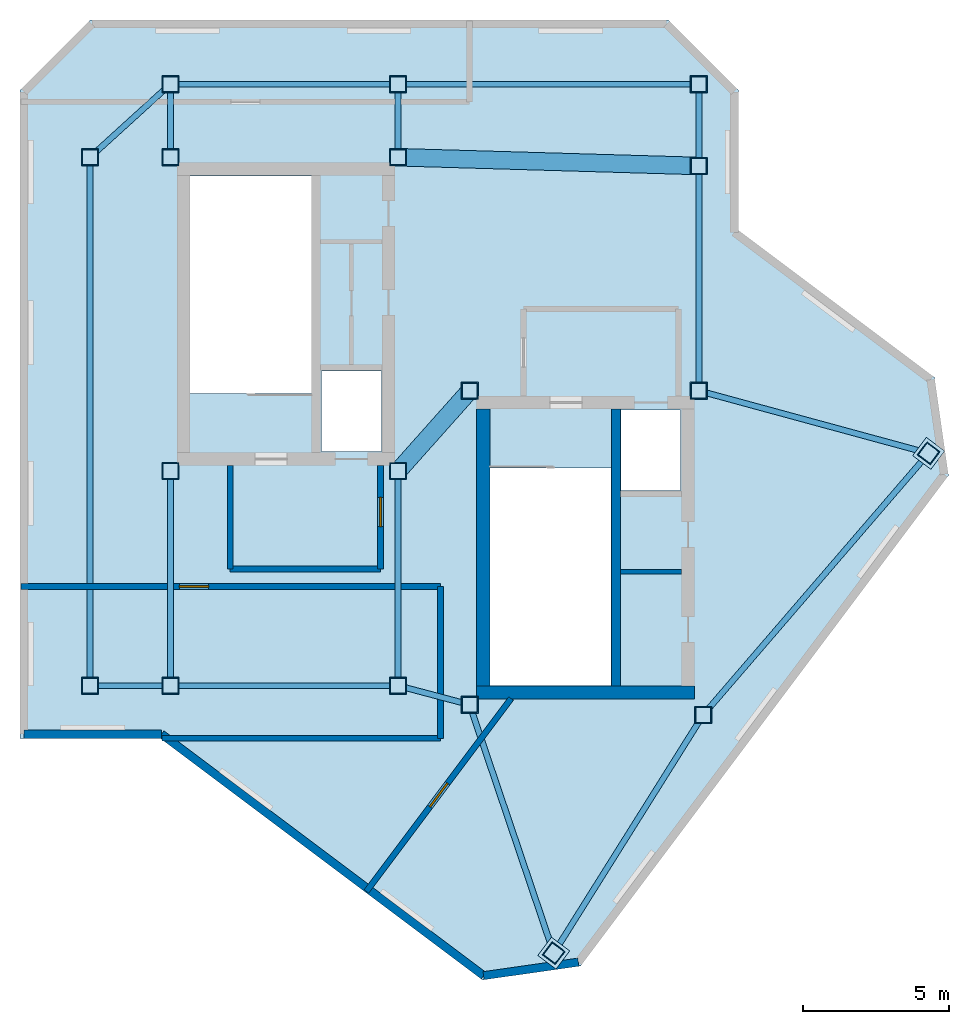
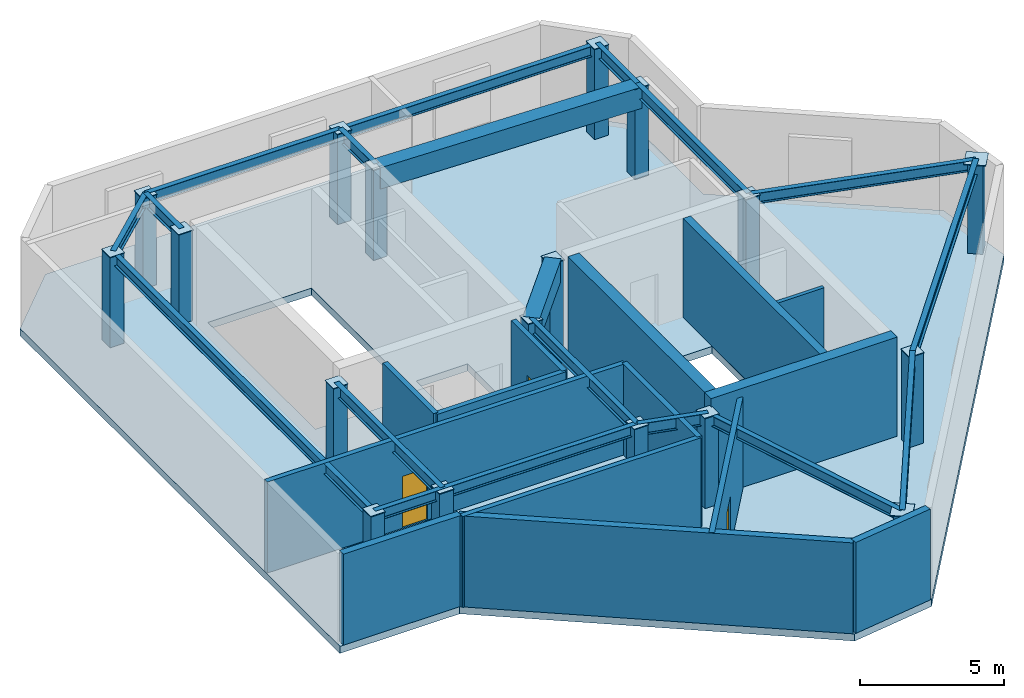
# One storey, part 1 of 3: 19 beams, 18 columns, 18 plates, 14 walls, 3 doors, 1 slab, 3 openings.
"""IFC4 building model written with IfcOpenShell, lengths in metres."""

import ifcopenshell
import ifcopenshell.guid

model = None  # the IFC model being written
_history = None  # IfcOwnerHistory: only IFC2X3 demands one
_inside = {}  # id of a spatial element -> (the spatial element, [elements in it])
_under = {}  # id of a project, library or spatial element -> (it, [spatial elements below it])
_declared = {}  # id of a project -> (the project, [libraries it declares])
_typed = {}  # id of a type object -> (the type object, [elements of that type])
_made_of = {}  # id of a material, layer set ... -> (it, [elements and type objects made of it])


def new_model(schema):
    """Start an empty IFC model of exactly this schema.

    Asked for "IFC4X3", IfcOpenShell would pick the latest addendum, in which some entities
    have other attributes; the version numbers below select the first issue.
    IFC2X3 requires an IfcOwnerHistory on every rooted entity: one is made here for all.
    """
    global model, _history
    if schema == "IFC4X3":
        model = ifcopenshell.file(schema_version=(4, 3, 0, 0))
    else:
        model = ifcopenshell.file(schema=schema)
    _inside.clear()
    _under.clear()
    _declared.clear()
    _typed.clear()
    _made_of.clear()
    _history = None
    if model.schema == "IFC2X3":
        org = make("IfcOrganization", Name="unknown")
        user = make(
            "IfcPersonAndOrganization",
            ThePerson=make("IfcPerson", FamilyName="unknown"),
            TheOrganization=org,
        )
        app = make(
            "IfcApplication",
            ApplicationDeveloper=org,
            Version="unknown",
            ApplicationFullName="unknown",
            ApplicationIdentifier="unknown",
        )
        _history = make(
            "IfcOwnerHistory",
            OwningUser=user,
            OwningApplication=app,
            ChangeAction="ADDED",
            CreationDate=0,
        )
    return model


def make(cls, **values):
    """One entity of the class cls with the attributes given. An attribute that is None is left unset."""
    return model.create_entity(
        cls, **{name: value for name, value in values.items() if value is not None}
    )


def rooted(cls, **values):
    """An entity with a GlobalId (a new one), such as an element, a storey or a relation."""
    return make(cls, GlobalId=ifcopenshell.guid.new(), OwnerHistory=_history, **values)


def si_unit(unit_type, name, prefix=None):
    """IfcSIUnit, for example si_unit("LENGTHUNIT", "METRE", prefix="MILLI")."""
    return make("IfcSIUnit", UnitType=unit_type, Prefix=prefix, Name=name)


def assignment(units):
    """IfcUnitAssignment: the units of a project."""
    return None if units is None else make("IfcUnitAssignment", Units=units)


def point(xyz):
    """IfcCartesianPoint."""
    return None if xyz is None else make("IfcCartesianPoint", Coordinates=xyz)


def direction(xyz):
    """IfcDirection."""
    return None if xyz is None else make("IfcDirection", DirectionRatios=xyz)


def frame(location, z_axis=None, x_axis=None):
    """IfcAxis2Placement3D, a coordinate frame: its origin and axes. An axis left out is left unset."""
    return make(
        "IfcAxis2Placement3D",
        Location=point(location),
        Axis=direction(z_axis),
        RefDirection=direction(x_axis),
    )


def frame_2d(location, x_axis=None):
    """IfcAxis2Placement2D, a coordinate frame in the plane: its origin and x axis."""
    return make(
        "IfcAxis2Placement2D", Location=point(location), RefDirection=direction(x_axis)
    )


def origin():
    """The frame at (0, 0, 0) with its axes left unset."""
    return frame((0.0, 0.0, 0.0))


def origin_2d():
    """The frame at (0, 0) in the plane with its x axis left unset."""
    return frame_2d((0.0, 0.0))


def place(relative_to, where):
    """IfcLocalPlacement: puts the frame where relative to a parent placement (None: the world)."""
    return make(
        "IfcLocalPlacement", PlacementRelTo=relative_to, RelativePlacement=where
    )


def context(
    kind, dimensions, precision=None, world=None, true_north=None, identifier=None
):
    """IfcGeometricRepresentationContext, for example the 3D "Model" context."""
    return make(
        "IfcGeometricRepresentationContext",
        ContextIdentifier=identifier,
        ContextType=kind,
        CoordinateSpaceDimension=dimensions,
        Precision=precision,
        WorldCoordinateSystem=world,
        TrueNorth=true_north,
    )


def subcontext(parent, identifier, kind, view, scale=None):
    """IfcGeometricRepresentationSubContext, for example "Body" below "Model"."""
    return make(
        "IfcGeometricRepresentationSubContext",
        ContextIdentifier=identifier,
        ContextType=kind,
        ParentContext=parent,
        TargetScale=scale,
        TargetView=view,
    )


def project(units=None, contexts=None):
    """IfcProject with its units and contexts."""
    return rooted(
        "IfcProject",
        Name="project",
        RepresentationContexts=contexts,
        UnitsInContext=assignment(units),
    )


def spatial(cls, under=None, at=None, **own):
    """A site, building, storey or space (cls), placed at a placement, below another one or the project."""
    s = rooted(cls, ObjectPlacement=at, **own)
    if under is not None:
        _under.setdefault(under.id(), (under, []))[1].append(s)
    return s


def polyline(points):
    """IfcPolyline through the points."""
    return make("IfcPolyline", Points=[point(p) for p in points])


def profile(cls, at=None, kind="AREA", **sizes):
    """A parametric profile (cls). Its sizes go by their IFC names, for example OverallWidth=200.0."""
    return make(cls, ProfileType=kind, Position=at, **sizes)


def rectangle(**sizes):
    """IfcRectangleProfileDef."""
    return profile("IfcRectangleProfileDef", **sizes)


def hollow_rectangle(**sizes):
    """IfcRectangleHollowProfileDef."""
    return profile("IfcRectangleHollowProfileDef", **sizes)


def i_section(**sizes):
    """IfcIShapeProfileDef."""
    return profile("IfcIShapeProfileDef", **sizes)


def outline(outer, holes=None, kind="AREA"):
    """IfcArbitraryClosedProfileDef: a profile drawn as a closed curve; with holes, ...WithVoids."""
    if holes is None:
        return make("IfcArbitraryClosedProfileDef", ProfileType=kind, OuterCurve=outer)
    return make(
        "IfcArbitraryProfileDefWithVoids",
        ProfileType=kind,
        OuterCurve=outer,
        InnerCurves=holes,
    )


def extrude(swept, where, along, depth):
    """IfcExtrudedAreaSolid: the profile swept, set in the frame where, extruded along a direction by depth."""
    return make(
        "IfcExtrudedAreaSolid",
        SweptArea=swept,
        Position=where,
        ExtrudedDirection=direction(along),
        Depth=depth,
    )


def shape(context_of_items, identifier, shape_type, items):
    """IfcShapeRepresentation: the items that make up one representation, for example the "Body"."""
    return make(
        "IfcShapeRepresentation",
        ContextOfItems=context_of_items,
        RepresentationIdentifier=identifier,
        RepresentationType=shape_type,
        Items=items,
    )


def material(Name=None, Category=None):
    """IfcMaterial."""
    return make("IfcMaterial", Name=Name, Category=Category)


def layer(
    of_material, thickness, ventilated=None, Name=None, Category=None, Priority=None
):
    """IfcMaterialLayer: one layer of a wall or slab, of a material (None: an air gap)."""
    return make(
        "IfcMaterialLayer",
        Material=of_material,
        LayerThickness=thickness,
        IsVentilated=ventilated,
        Name=Name,
        Category=Category,
        Priority=Priority,
    )


def layer_set(layers, Name=None):
    """IfcMaterialLayerSet."""
    return make("IfcMaterialLayerSet", MaterialLayers=layers, LayerSetName=Name)


def material_profile(
    of_material, cross_section, Name=None, Category=None, Priority=None
):
    """IfcMaterialProfile: a cross section and its material."""
    return make(
        "IfcMaterialProfile",
        Name=Name,
        Material=of_material,
        Profile=cross_section,
        Priority=Priority,
        Category=Category,
    )


def profile_set(profiles, Name=None, composite=None):
    """IfcMaterialProfileSet."""
    return make(
        "IfcMaterialProfileSet",
        Name=Name,
        MaterialProfiles=profiles,
        CompositeProfile=composite,
    )


def made_of(thing, what):
    """Note that an element or type object is made of a material, layer set ...; save() writes the relation."""
    if what is not None:
        _made_of.setdefault(what.id(), (what, []))[1].append(thing)
    return thing


def type_object(cls, material=None, **own):
    """A type object (cls), such as IfcWallType, which elements share."""
    return made_of(rooted(cls, **own), material)


def element(
    cls,
    number,
    at=None,
    inside=None,
    cuts=None,
    type_object=None,
    material=None,
    context=None,
    identifier="Body",
    shape_type=None,
    held_by="IfcProductDefinitionShape",
    body=None,
    shapes=None,
    **own,
):
    """One element of the class cls, such as IfcWall. Its Tag is "e" and its number.

    at: its placement. inside: the storey or other place that contains it. cuts: it is an
    opening in that element (IfcRelVoidsElement). A single representation is given by context,
    identifier, shape_type and body (its items); several are given by shapes. held_by: the class
    of the entity that holds the representations. save() writes the other relations.
    """
    e = rooted(cls, Tag="e%d" % number, ObjectPlacement=at, **own)
    if body is not None:
        shapes = [shape(context, identifier, shape_type, body)]
    if shapes is not None:
        e.Representation = make(held_by, Representations=shapes)
    if inside is not None:
        _inside.setdefault(inside.id(), (inside, []))[1].append(e)
    if cuts is not None:
        rooted(
            "IfcRelVoidsElement", RelatingBuildingElement=cuts, RelatedOpeningElement=e
        )
    if type_object is not None:
        _typed.setdefault(type_object.id(), (type_object, []))[1].append(e)
    return made_of(e, material)


def fill(opening, filler):
    """IfcRelFillsElement: the door or window that sits in an opening."""
    return rooted(
        "IfcRelFillsElement",
        RelatingOpeningElement=opening,
        RelatedBuildingElement=filler,
    )


def aggregate(whole, parts):
    """IfcRelAggregates: a whole, such as a stair, and the parts it consists of."""
    return rooted("IfcRelAggregates", RelatingObject=whole, RelatedObjects=parts)


def save(model, path):
    """Write the relations noted so far, then the file.

    IfcRelAggregates (storeys below a building ...), IfcRelContainedInSpatialStructure (elements
    in a storey), IfcRelDefinesByType, IfcRelAssociatesMaterial and IfcRelDeclares: one each for
    every whole, place, type object, material and project.
    """
    for whole, parts in _under.values():
        aggregate(whole, parts)
    for where, things in _inside.values():
        rooted(
            "IfcRelContainedInSpatialStructure",
            RelatedElements=things,
            RelatingStructure=where,
        )
    for kind, things in _typed.values():
        rooted("IfcRelDefinesByType", RelatedObjects=things, RelatingType=kind)
    for what, things in _made_of.values():
        rooted("IfcRelAssociatesMaterial", RelatedObjects=things, RelatingMaterial=what)
    for by, libraries in _declared.values():
        rooted("IfcRelDeclares", RelatingContext=by, RelatedDefinitions=libraries)
    model.write(path)


model = new_model("IFC4")

# Units and contexts
model_context = context("Model", 3, precision=1e-05, world=origin(), true_north=direction((0.0, 1.0)))
body_context = subcontext(model_context, "Body", "Model", "MODEL_VIEW")
ifc_project = project(units=[si_unit("LENGTHUNIT", "METRE"), si_unit("AREAUNIT", "SQUARE_METRE"), si_unit("VOLUMEUNIT", "CUBIC_METRE"), si_unit("PLANEANGLEUNIT", "RADIAN"), si_unit("MASSUNIT", "GRAM", prefix="KILO")], contexts=[model_context])

# Site, building, storey
site_placement = place(None, origin())
site = spatial("IfcSite", under=ifc_project, at=site_placement, CompositionType="ELEMENT")
building_placement = place(site_placement, origin())
building = spatial("IfcBuilding", under=site, at=building_placement, Name="Hatsunagi Terrace Concourse", CompositionType="ELEMENT")
storey_placement = place(building_placement, frame((0.0, 0.0, 289.949951171875)))
storey = spatial("IfcBuildingStorey", under=building, at=storey_placement, Name="L76", CompositionType="ELEMENT", Elevation=289.949951171875)

# Columns
ifc_material_1 = material(Name="Steel BCP325T", Category="steel")
ifc_material_profile_1 = material_profile(ifc_material_1, hollow_rectangle(XDim=0.550048828125, YDim=0.550048828125, WallThickness=0.02197265625, at=origin_2d()), Name="BCP-550x550x22")
ifc_profile_set_1 = profile_set([ifc_material_profile_1], Name="Steel BCP325T")
column_type = type_object("IfcColumnType", Name="CrownBoxColumn_550x550x22", PredefinedType="COLUMN", material=ifc_profile_set_1)
for number, where, z_axis, x_axis, name in (
    (1, (25.550048828125, 32.550048828125, 0.0), (0.0, 0.0, 1.0), (1.0, 0.0, 0.0), "Column C-11 L76-CASW"),
    (2, (33.35009765625, 32.550048828125, 0.0), (0.0, 0.0, 1.0), (1.0, 0.0, 0.0), "Column C-11 L76-CASE"),
    (3, (25.550048828125, 43.300048828125, 0.0), (0.0, 0.0, 1.0), (1.0, 0.0, 0.0), "Column C-11 L76-CANW"),
    (4, (33.35009765625, 43.300048828125, 0.0), (0.0, 0.0, 1.0), (1.0, 0.0, 0.0), "Column C-11 L76-CANE"),
    (5, (35.800048828125, 24.550048828125, 0.0), (0.0, 0.0, 1.0), (1.0, 0.0, 0.0), "Column C-11 L76-CBSW"),
    (6, (43.800048828125, 24.199951171875, 0.0), (0.0, 0.0, 1.0), (1.0, 0.0, 0.0), "Column C-11 L76-CBSE"),
    (7, (35.800048828125, 35.300048828125, 0.0), (0.0, 0.0, 1.0), (1.0, 0.0, 0.0), "Column C-11 L76-CBNW"),
    (8, (43.64990234375, 35.300048828125, 0.0), (0.0, 0.0, 1.0), (1.0, 0.0, 0.0), "Column C-11 L76-CBNE"),
    (9, (25.550048828125, 25.199951171875, 0.0), (0.0, 0.0, 1.0), (1.0, 0.0, 0.0), "Column C-11 L76-K1"),
    (10, (33.35009765625, 25.199951171875, 0.0), (0.0, 0.0, 1.0), (1.0, 0.0, 0.0), "Column C-11 L76-K2"),
    (11, (43.64990234375, 43.0, 0.0), (0.0, 0.0, 1.0), (1.0, 0.0, 0.0), "Column C-11 L76-K3"),
    (12, (25.550048828125, 45.800048828125, 0.0), (0.0, 0.0, 1.0), (1.0, 0.0, 0.0), "Column C-11 L76-CN1"),
    (13, (33.35009765625, 45.800048828125, 0.0), (0.0, 0.0, 1.0), (1.0, 0.0, 0.0), "Column C-11 L76-CN2"),
    (14, (43.64990234375, 45.800048828125, 0.0), (0.0, 0.0, 1.0), (1.0, 0.0, 0.0), "Column C-11 L76-CN3"),
    (15, (22.800048828125, 25.199951171875, 0.0), (0.0, 0.0, 1.0), (1.0, 0.0, 0.0), "Column C-11 L76-CW1"),
    (16, (22.800048828125, 43.300048828125, 0.0), (0.0, 0.0, 1.0), (1.0, 0.0, 0.0), "Column C-11 L76-CW2"),
    (17, (38.679931640625, 16.0400390625, 0.0), (0.0, 0.0, 1.0), (0.799999996291, -0.600000004945, 0.0), "Column C-11 L76-SES1"),
    (18, (51.52001953125, 33.159912109375, 0.0), (0.0, 0.0, 1.0), (0.799999996291, -0.600000004945, 0.0), "Column C-11 L76-SEN1"),
):
    element("IfcColumn", number, at=place(storey_placement, frame(where, z_axis=z_axis, x_axis=x_axis)), inside=storey, type_object=column_type, Name=name, PredefinedType="COLUMN", context=body_context, shape_type="SweptSolid", body=[
        extrude(hollow_rectangle(XDim=0.550048828125, YDim=0.550048828125, WallThickness=0.02197265625, at=origin_2d()), origin(), (0.0, 0.0, 1.0), 3.818115234375),
    ])

# Beams
ifc_material_2 = material(Name="Concrete Fc42", Category="concrete")
ifc_material_profile_2 = material_profile(ifc_material_2, rectangle(XDim=0.60009765625, YDim=0.89990234375, at=origin_2d()), Name="RC-600x900")
ifc_profile_set_2 = profile_set([ifc_material_profile_2], Name="Concrete Fc42")
beam_type_1 = type_object("IfcBeamType", Name="CoreCouplingBeam_RC_600x900", PredefinedType="BEAM", material=ifc_profile_set_2)
beam_1_placement = place(storey_placement, frame((33.35009765625, 32.550048828125, 3.400146484375), z_axis=(0.665198651008, 0.746666427997, 0.0), x_axis=(-0.746666427997, 0.665198651008, 0.0)))
element("IfcBeam", 19, at=beam_1_placement, inside=storey, type_object=beam_type_1, Name="Beam CB-03 CB-L76-1", PredefinedType="BEAM", context=body_context, shape_type="SweptSolid", body=[
    extrude(rectangle(XDim=0.60009765625, YDim=0.89990234375, at=origin_2d()), origin(), (0.0, 0.0, 1.0), 3.68310546875),
])
beam_2_placement = place(storey_placement, frame((33.35009765625, 43.300048828125, 3.400146484375), z_axis=(0.999575947545, -0.029119153303, 0.0), x_axis=(0.029119153303, 0.999575947545, 0.0)))
element("IfcBeam", 20, at=beam_2_placement, inside=storey, type_object=beam_type_1, Name="Beam CB-03 CB-L76-2", PredefinedType="BEAM", context=body_context, shape_type="SweptSolid", body=[
    extrude(rectangle(XDim=0.60009765625, YDim=0.89990234375, at=origin_2d()), origin(), (0.0, 0.0, 1.0), 10.30419921875),
])
ifc_material_3 = material(Name="Steel SN490B", Category="steel")
ifc_material_profile_3 = material_profile(ifc_material_3, i_section(OverallWidth=0.199951171875, OverallDepth=0.5, WebThickness=0.010009765625, FlangeThickness=0.01611328125, FilletRadius=0.01611328125, at=origin_2d()), Name="H-500x200x10x16")
ifc_profile_set_3 = profile_set([ifc_material_profile_3], Name="Steel SN490B")
beam_type_2 = type_object("IfcBeamType", Name="CrownFloorGirder_H_500x200", PredefinedType="BEAM", material=ifc_profile_set_3)
for number, where, z_axis, x_axis, name in (
    (21, (25.550048828125, 25.199951171875, 3.60009765625), (0.0, 1.0, 0.0), (-1.0, 0.0, 0.0), "Beam G-07 BM-L76-K1CA"),
    (22, (33.35009765625, 25.199951171875, 3.60009765625), (0.0, 1.0, 0.0), (-1.0, 0.0, 0.0), "Beam G-07 BM-L76-K2CA"),
):
    element("IfcBeam", number, at=place(storey_placement, frame(where, z_axis=z_axis, x_axis=x_axis)), inside=storey, type_object=beam_type_2, Name=name, PredefinedType="BEAM", context=body_context, shape_type="SweptSolid", body=[
        extrude(i_section(OverallWidth=0.199951171875, OverallDepth=0.5, WebThickness=0.010009765625, FlangeThickness=0.01611328125, FilletRadius=0.01611328125, at=origin_2d()), origin(), (0.0, 0.0, 1.0), 7.35009765625),
    ])
beam_3_placement = place(storey_placement, frame((33.35009765625, 25.199951171875, 3.60009765625), z_axis=(0.966569840116, -0.256403479262, 0.0), x_axis=(0.256403479262, 0.966569840116, 0.0)))
element("IfcBeam", 23, at=beam_3_placement, inside=storey, type_object=beam_type_2, Name="Beam G-07 BM-L76-K2CB", PredefinedType="BEAM", context=body_context, shape_type="SweptSolid", body=[
    extrude(i_section(OverallWidth=0.199951171875, OverallDepth=0.5, WebThickness=0.010009765625, FlangeThickness=0.01611328125, FilletRadius=0.01611328125, at=origin_2d()), origin(), (0.0, 0.0, 1.0), 2.53466796875),
])
beam_4_placement = place(storey_placement, frame((43.64990234375, 35.300048828125, 3.60009765625), z_axis=(0.0, 1.0, 0.0), x_axis=(-1.0, 0.0, 0.0)))
element("IfcBeam", 24, at=beam_4_placement, inside=storey, type_object=beam_type_2, Name="Beam G-07 BM-L76-CBK3", PredefinedType="BEAM", context=body_context, shape_type="SweptSolid", body=[
    extrude(i_section(OverallWidth=0.199951171875, OverallDepth=0.5, WebThickness=0.010009765625, FlangeThickness=0.01611328125, FilletRadius=0.01611328125, at=origin_2d()), origin(), (0.0, 0.0, 1.0), 7.699951171875),
])
for number, where, z_axis, x_axis, name in (
    (25, (25.550048828125, 43.300048828125, 3.60009765625), (0.0, 1.0, 0.0), (-1.0, 0.0, 0.0), "Beam G-07 BM-L76-CN1"),
    (26, (33.35009765625, 43.300048828125, 3.60009765625), (0.0, 1.0, 0.0), (-1.0, 0.0, 0.0), "Beam G-07 BM-L76-CN2"),
):
    element("IfcBeam", number, at=place(storey_placement, frame(where, z_axis=z_axis, x_axis=x_axis)), inside=storey, type_object=beam_type_2, Name=name, PredefinedType="BEAM", context=body_context, shape_type="SweptSolid", body=[
        extrude(i_section(OverallWidth=0.199951171875, OverallDepth=0.5, WebThickness=0.010009765625, FlangeThickness=0.01611328125, FilletRadius=0.01611328125, at=origin_2d()), origin(), (0.0, 0.0, 1.0), 2.5),
    ])
beam_5_placement = place(storey_placement, frame((43.64990234375, 43.0, 3.60009765625), z_axis=(0.0, 1.0, 0.0), x_axis=(-1.0, 0.0, 0.0)))
element("IfcBeam", 27, at=beam_5_placement, inside=storey, type_object=beam_type_2, Name="Beam G-07 BM-L76-CN3", PredefinedType="BEAM", context=body_context, shape_type="SweptSolid", body=[
    extrude(i_section(OverallWidth=0.199951171875, OverallDepth=0.5, WebThickness=0.010009765625, FlangeThickness=0.01611328125, FilletRadius=0.01611328125, at=origin_2d()), origin(), (0.0, 0.0, 1.0), 2.800048828125),
])
beam_6_placement = place(storey_placement, frame((38.679931640625, 16.0400390625, 3.60009765625), z_axis=(0.531503907049, 0.847055840421, 0.0), x_axis=(-0.847055840421, 0.531503907049, 0.0)))
element("IfcBeam", 28, at=beam_6_placement, inside=storey, type_object=beam_type_2, Name="Beam G-07 BM-L76-SET-1A", PredefinedType="BEAM", context=body_context, shape_type="SweptSolid", body=[
    extrude(i_section(OverallWidth=0.199951171875, OverallDepth=0.5, WebThickness=0.010009765625, FlangeThickness=0.01611328125, FilletRadius=0.01611328125, at=origin_2d()), origin(), (0.0, 0.0, 1.0), 9.63330078125),
])
beam_7_placement = place(storey_placement, frame((43.800048828125, 24.199951171875, 3.60009765625), z_axis=(0.652739101421, 0.757582777969, 0.0), x_axis=(-0.757582777969, 0.652739101421, 0.0)))
element("IfcBeam", 29, at=beam_7_placement, inside=storey, type_object=beam_type_2, Name="Beam G-07 BM-L76-SET-1B", PredefinedType="BEAM", context=body_context, shape_type="SweptSolid", body=[
    extrude(i_section(OverallWidth=0.199951171875, OverallDepth=0.5, WebThickness=0.010009765625, FlangeThickness=0.01611328125, FilletRadius=0.01611328125, at=origin_2d()), origin(), (0.0, 0.0, 1.0), 11.8271484375),
])
ifc_material_4 = material(Name="Steel SN490B", Category="steel")
ifc_material_profile_4 = material_profile(ifc_material_4, i_section(OverallWidth=0.199951171875, OverallDepth=0.449951171875, WebThickness=0.009033203125, FlangeThickness=0.013916015625, FilletRadius=0.01611328125, at=origin_2d()), Name="H-450x200x9x14")
ifc_profile_set_4 = profile_set([ifc_material_profile_4], Name="Steel SN490B")
beam_type_3 = type_object("IfcBeamType", Name="PerimeterSpandrel_H_450x200", PredefinedType="SPANDREL", material=ifc_profile_set_4)
beam_8_placement = place(storey_placement, frame((25.550048828125, 45.800048828125, 3.625), z_axis=(1.0, 0.0, 0.0), x_axis=(0.0, 1.0, 0.0)))
element("IfcBeam", 30, at=beam_8_placement, inside=storey, type_object=beam_type_3, Name="Beam SP-02 BM-L76-CNEW1", PredefinedType="SPANDREL", context=body_context, shape_type="SweptSolid", body=[
    extrude(i_section(OverallWidth=0.199951171875, OverallDepth=0.449951171875, WebThickness=0.009033203125, FlangeThickness=0.013916015625, FilletRadius=0.01611328125, at=origin_2d()), origin(), (0.0, 0.0, 1.0), 7.800048828125),
])
beam_9_placement = place(storey_placement, frame((33.35009765625, 45.800048828125, 3.625), z_axis=(1.0, 0.0, 0.0), x_axis=(0.0, 1.0, 0.0)))
element("IfcBeam", 31, at=beam_9_placement, inside=storey, type_object=beam_type_3, Name="Beam SP-02 BM-L76-CNEW2", PredefinedType="SPANDREL", context=body_context, shape_type="SweptSolid", body=[
    extrude(i_section(OverallWidth=0.199951171875, OverallDepth=0.449951171875, WebThickness=0.009033203125, FlangeThickness=0.013916015625, FilletRadius=0.01611328125, at=origin_2d()), origin(), (0.0, 0.0, 1.0), 10.2998046875),
])
beam_10_placement = place(storey_placement, frame((22.800048828125, 25.199951171875, 3.625), z_axis=(1.0, 0.0, 0.0), x_axis=(0.0, 1.0, 0.0)))
element("IfcBeam", 32, at=beam_10_placement, inside=storey, type_object=beam_type_3, Name="Beam SP-02 BM-L76-WS-22", PredefinedType="SPANDREL", context=body_context, shape_type="SweptSolid", body=[
    extrude(i_section(OverallWidth=0.199951171875, OverallDepth=0.449951171875, WebThickness=0.009033203125, FlangeThickness=0.013916015625, FilletRadius=0.01611328125, at=origin_2d()), origin(), (0.0, 0.0, 1.0), 2.75),
])
beam_11_placement = place(storey_placement, frame((25.550048828125, 25.199951171875, 3.625), z_axis=(1.0, 0.0, 0.0), x_axis=(0.0, 1.0, 0.0)))
element("IfcBeam", 33, at=beam_11_placement, inside=storey, type_object=beam_type_3, Name="Beam SP-02 BM-L76-WS-25", PredefinedType="SPANDREL", context=body_context, shape_type="SweptSolid", body=[
    extrude(i_section(OverallWidth=0.199951171875, OverallDepth=0.449951171875, WebThickness=0.009033203125, FlangeThickness=0.013916015625, FilletRadius=0.01611328125, at=origin_2d()), origin(), (0.0, 0.0, 1.0), 7.800048828125),
])
beam_12_placement = place(storey_placement, frame((22.800048828125, 25.199951171875, 3.625), z_axis=(0.0, 1.0, 0.0), x_axis=(-1.0, 0.0, 0.0)))
element("IfcBeam", 34, at=beam_12_placement, inside=storey, type_object=beam_type_3, Name="Beam SP-02 BM-L76-CWNS", PredefinedType="SPANDREL", context=body_context, shape_type="SweptSolid", body=[
    extrude(i_section(OverallWidth=0.199951171875, OverallDepth=0.449951171875, WebThickness=0.009033203125, FlangeThickness=0.013916015625, FilletRadius=0.01611328125, at=origin_2d()), origin(), (0.0, 0.0, 1.0), 18.10009765625),
])
beam_13_placement = place(storey_placement, frame((22.800048828125, 43.300048828125, 3.625), z_axis=(0.739940073396, 0.672672793996, 0.0), x_axis=(-0.672672793996, 0.739940073396, 0.0)))
element("IfcBeam", 35, at=beam_13_placement, inside=storey, type_object=beam_type_3, Name="Beam SP-02 BM-L76-CWEW-N", PredefinedType="SPANDREL", context=body_context, shape_type="SweptSolid", body=[
    extrude(i_section(OverallWidth=0.199951171875, OverallDepth=0.449951171875, WebThickness=0.009033203125, FlangeThickness=0.013916015625, FilletRadius=0.01611328125, at=origin_2d()), origin(), (0.0, 0.0, 1.0), 3.716552734375),
])
beam_14_placement = place(storey_placement, frame((35.800048828125, 24.550048828125, 3.625), z_axis=(0.320553412271, -0.947230441805, 0.0), x_axis=(0.947230441805, 0.320553412271, 0.0)))
element("IfcBeam", 36, at=beam_14_placement, inside=storey, type_object=beam_type_3, Name="Beam SP-02 BM-L76-SE-SW0", PredefinedType="SPANDREL", context=body_context, shape_type="SweptSolid", body=[
    extrude(i_section(OverallWidth=0.199951171875, OverallDepth=0.449951171875, WebThickness=0.009033203125, FlangeThickness=0.013916015625, FilletRadius=0.01611328125, at=origin_2d()), origin(), (0.0, 0.0, 1.0), 8.984130859375),
])
beam_15_placement = place(storey_placement, frame((43.64990234375, 35.300048828125, 3.625), z_axis=(0.964958359286, -0.262403057994, 0.0), x_axis=(0.262403057994, 0.964958359286, 0.0)))
element("IfcBeam", 37, at=beam_15_placement, inside=storey, type_object=beam_type_3, Name="Beam SP-02 BM-L76-SE-NE0", PredefinedType="SPANDREL", context=body_context, shape_type="SweptSolid", body=[
    extrude(i_section(OverallWidth=0.199951171875, OverallDepth=0.449951171875, WebThickness=0.009033203125, FlangeThickness=0.013916015625, FilletRadius=0.01611328125, at=origin_2d()), origin(), (0.0, 0.0, 1.0), 8.156005859375),
])

# Plates
ifc_material_5 = material(Name="Steel SN490C", Category="steel")
ifc_layer_1 = layer(ifc_material_5, 0.031982421875)
ifc_layer_set_1 = layer_set([ifc_layer_1], Name="ColumnEndCapPlate_32")
plate_type = type_object("IfcPlateType", Name="ColumnEndCapPlate_32", PredefinedType="USERDEFINED", material=ifc_layer_set_1)
for number, where, z_axis, x_axis, name in (
    (38, (25.550048828125, 32.550048828125, 3.81787109375), (0.0, 0.0, 1.0), (1.0, 0.0, 0.0), "Hollow Column Top Cap Plate GP-03 L76-CASW"),
    (39, (33.35009765625, 32.550048828125, 3.81787109375), (0.0, 0.0, 1.0), (1.0, 0.0, 0.0), "Hollow Column Top Cap Plate GP-03 L76-CASE"),
    (40, (25.550048828125, 43.300048828125, 3.81787109375), (0.0, 0.0, 1.0), (1.0, 0.0, 0.0), "Hollow Column Top Cap Plate GP-03 L76-CANW"),
    (41, (33.35009765625, 43.300048828125, 3.81787109375), (0.0, 0.0, 1.0), (1.0, 0.0, 0.0), "Hollow Column Top Cap Plate GP-03 L76-CANE"),
    (42, (35.800048828125, 24.550048828125, 3.81787109375), (0.0, 0.0, 1.0), (1.0, 0.0, 0.0), "Hollow Column Top Cap Plate GP-03 L76-CBSW"),
    (43, (43.800048828125, 24.199951171875, 3.81787109375), (0.0, 0.0, 1.0), (1.0, 0.0, 0.0), "Hollow Column Top Cap Plate GP-03 L76-CBSE"),
    (44, (35.800048828125, 35.300048828125, 3.81787109375), (0.0, 0.0, 1.0), (1.0, 0.0, 0.0), "Hollow Column Top Cap Plate GP-03 L76-CBNW"),
    (45, (43.64990234375, 35.300048828125, 3.81787109375), (0.0, 0.0, 1.0), (1.0, 0.0, 0.0), "Hollow Column Top Cap Plate GP-03 L76-CBNE"),
    (46, (25.550048828125, 25.199951171875, 3.81787109375), (0.0, 0.0, 1.0), (1.0, 0.0, 0.0), "Hollow Column Top Cap Plate GP-03 L76-K1"),
    (47, (33.35009765625, 25.199951171875, 3.81787109375), (0.0, 0.0, 1.0), (1.0, 0.0, 0.0), "Hollow Column Top Cap Plate GP-03 L76-K2"),
    (48, (43.64990234375, 43.0, 3.81787109375), (0.0, 0.0, 1.0), (1.0, 0.0, 0.0), "Hollow Column Top Cap Plate GP-03 L76-K3"),
    (49, (25.550048828125, 45.800048828125, 3.81787109375), (0.0, 0.0, 1.0), (1.0, 0.0, 0.0), "Hollow Column Top Cap Plate GP-03 L76-CN1"),
    (50, (33.35009765625, 45.800048828125, 3.81787109375), (0.0, 0.0, 1.0), (1.0, 0.0, 0.0), "Hollow Column Top Cap Plate GP-03 L76-CN2"),
    (51, (43.64990234375, 45.800048828125, 3.81787109375), (0.0, 0.0, 1.0), (1.0, 0.0, 0.0), "Hollow Column Top Cap Plate GP-03 L76-CN3"),
    (52, (22.800048828125, 25.199951171875, 3.81787109375), (0.0, 0.0, 1.0), (1.0, 0.0, 0.0), "Hollow Column Top Cap Plate GP-03 L76-CW1"),
    (53, (22.800048828125, 43.300048828125, 3.81787109375), (0.0, 0.0, 1.0), (1.0, 0.0, 0.0), "Hollow Column Top Cap Plate GP-03 L76-CW2"),
):
    element("IfcPlate", number, at=place(storey_placement, frame(where, z_axis=z_axis, x_axis=x_axis)), inside=storey, type_object=plate_type, Name=name, ObjectType="GUSSET_PLATE", PredefinedType="USERDEFINED", context=body_context, shape_type="SweptSolid", body=[
        extrude(rectangle(XDim=0.590087890625, YDim=0.590087890625, at=origin_2d()), origin(), (0.0, 0.0, 1.0), 0.031982421875),
    ])
for number, where, z_axis, x_axis, name in (
    (54, (38.679931640625, 16.0400390625, 3.81787109375), (0.0, 0.0, 1.0), (0.799999996291, -0.600000004945, 0.0), "Hollow Column Top Cap Plate GP-03 L76-SES1"),
    (55, (51.52001953125, 33.159912109375, 3.81787109375), (0.0, 0.0, 1.0), (0.799999996291, -0.600000004945, 0.0), "Hollow Column Top Cap Plate GP-03 L76-SEN1"),
):
    element("IfcPlate", number, at=place(storey_placement, frame(where, z_axis=z_axis, x_axis=x_axis)), inside=storey, type_object=plate_type, Name=name, ObjectType="GUSSET_PLATE", PredefinedType="USERDEFINED", context=body_context, shape_type="SweptSolid", body=[
        extrude(rectangle(XDim=0.781005859375, YDim=0.781005859375, at=origin_2d()), origin(), (0.0, 0.0, 1.0), 0.031982421875),
    ])

# Slab
ifc_material_6 = material(Name="Concrete Fc42", Category="concrete")
ifc_layer_2 = layer(ifc_material_6, 0.300048828125)
ifc_layer_set_2 = layer_set([ifc_layer_2], Name="PodiumTransferSlab_Fc42_300")
slab_type = type_object("IfcSlabType", Name="PodiumTransferSlab_Fc42_300", PredefinedType="FLOOR", material=ifc_layer_set_2)
slab_placement = place(storey_placement, frame((0.0, 0.0, -0.300048828125)))
element("IfcSlab", 56, at=slab_placement, inside=storey, type_object=slab_type, Name="Floor Slab SL-300 L76", PredefinedType="FLOOR", context=body_context, shape_type="SweptSolid", body=[
    extrude(outline(polyline([(45.0, 40.800048828125), (45.0, 45.60009765625), (42.60009765625, 48.0), (22.800048828125, 48.0), (20.39990234375, 45.60009765625), (20.39990234375, 23.39990234375), (25.199951171875, 23.39990234375), (36.239990234375, 15.1201171875), (39.60009765625, 15.60009765625), (52.199951171875, 32.39990234375), (51.719970703125, 35.760009765625), (45.0, 40.800048828125)]), holes=[polyline([(26.22998046875, 35.205078125), (30.3798828125, 35.205078125), (30.3798828125, 42.659912109375), (26.22998046875, 42.659912109375), (26.22998046875, 35.205078125)]), polyline([(36.5, 25.199951171875), (40.64990234375, 25.199951171875), (40.64990234375, 32.655029296875), (36.5, 32.655029296875), (36.5, 25.199951171875)]), polyline([(30.719970703125, 33.219970703125), (32.780029296875, 33.219970703125), (32.780029296875, 35.97998046875), (30.719970703125, 35.97998046875), (30.719970703125, 33.219970703125)]), polyline([(40.97998046875, 31.8798828125), (43.02001953125, 31.8798828125), (43.02001953125, 34.639892578125), (40.97998046875, 34.639892578125), (40.97998046875, 31.8798828125)])]), origin(), (0.0, 0.0, 1.0), 0.300048828125),
])

# Walls
ifc_material_7 = material(Name="Concrete Fc42", Category="concrete")
ifc_layer_3 = layer(ifc_material_7, 0.449951171875)
ifc_layer_set_3 = layer_set([ifc_layer_3], Name="CoreShearWall_Fc42_450")
wall_type_1 = type_object("IfcWallType", Name="CoreShearWall_Fc42_450", PredefinedType="SHEAR", material=ifc_layer_set_3)
wall_1_placement = place(storey_placement, frame((36.0400390625, 24.965087890625, 0.0), z_axis=(0.0, 0.0, 1.0), x_axis=(1.0, 0.0, 0.0)))
element("IfcWall", 57, at=wall_1_placement, inside=storey, type_object=wall_type_1, Name="Core B Shear Wall S L76", PredefinedType="SHEAR", context=body_context, shape_type="SweptSolid", body=[
    extrude(rectangle(XDim=7.4599609375, YDim=0.449951171875, at=frame_2d((3.72998046875, 0.0))), origin(), (0.0, 0.0, 1.0), 4.199951171875),
])
wall_2_placement = place(storey_placement, frame((36.264892578125, 25.18994140625, 0.0), z_axis=(0.0, 0.0, 1.0), x_axis=(0.0, 1.0, 0.0)))
element("IfcWall", 58, at=wall_2_placement, inside=storey, type_object=wall_type_1, Name="Core B Shear Wall W L76", PredefinedType="SHEAR", context=body_context, shape_type="SweptSolid", body=[
    extrude(rectangle(XDim=9.47998046875, YDim=0.449951171875, at=frame_2d((4.739990234375, 0.0))), origin(), (0.0, 0.0, 1.0), 4.199951171875),
])
ifc_material_8 = material(Name="Concrete Fc48", Category="concrete")
ifc_layer_4 = layer(ifc_material_8, 0.300048828125)
ifc_layer_set_4 = layer_set([ifc_layer_4], Name="CoreStairDivider_Fc48_300")
wall_type_2 = type_object("IfcWallType", Name="CoreStairDivider_Fc48_300", PredefinedType="SHEAR", material=ifc_layer_set_4)
wall_3_placement = place(storey_placement, frame((40.81005859375, 25.18994140625, 0.0), z_axis=(0.0, 0.0, 1.0), x_axis=(0.0, 1.0, 0.0)))
element("IfcWall", 59, at=wall_3_placement, inside=storey, type_object=wall_type_2, Name="Core B Shear Wall D L76", PredefinedType="SHEAR", context=body_context, shape_type="SweptSolid", body=[
    extrude(rectangle(XDim=9.47998046875, YDim=0.300048828125, at=frame_2d((4.739990234375, 0.0))), origin(), (0.0, 0.0, 1.0), 4.199951171875),
])
ifc_material_9 = material(Name="Acoustic mineral board", Category="gypsum")
ifc_layer_5 = layer(ifc_material_9, 0.14990234375)
ifc_layer_set_5 = layer_set([ifc_layer_5], Name="PartitionWall_EI60_150")
wall_type_3 = type_object("IfcWallType", Name="PartitionWall_EI60_150", PredefinedType="PARTITIONING", material=ifc_layer_set_5)
wall_4_placement = place(storey_placement, frame((40.969970703125, 29.10009765625, 0.0), z_axis=(0.0, 0.0, 1.0), x_axis=(1.0, 0.0, 0.0)))
element("IfcWall", 60, at=wall_4_placement, inside=storey, type_object=wall_type_3, Name="Interior Partition IW-L76-005", PredefinedType="PARTITIONING", context=body_context, shape_type="SweptSolid", body=[
    extrude(rectangle(XDim=2.080078125, YDim=0.14990234375, at=frame_2d((1.0400390625, 0.0))), origin(), (0.0, 0.0, 1.0), 3.85009765625),
])
ifc_material_10 = material(Name="Acoustic mineral board", Category="gypsum")
ifc_layer_6 = layer(ifc_material_10, 0.199951171875)
ifc_layer_set_6 = layer_set([ifc_layer_6], Name="ShaftWall_EI120_200")
wall_type_4 = type_object("IfcWallType", Name="ShaftWall_EI120_200", PredefinedType="STANDARD", material=ifc_layer_set_6)
wall_5_placement = place(storey_placement, frame((27.60009765625, 29.199951171875, 0.0), z_axis=(0.0, 0.0, 1.0), x_axis=(1.0, 0.0, 0.0)))
element("IfcWall", 61, at=wall_5_placement, inside=storey, type_object=wall_type_4, Name="Interior Partition IW-L76-006", PredefinedType="STANDARD", context=body_context, shape_type="SweptSolid", body=[
    extrude(rectangle(XDim=5.14990234375, YDim=0.199951171875, at=frame_2d((2.574951171875, 0.0))), origin(), (0.0, 0.0, 1.0), 3.85009765625),
])
wall_6_placement = place(storey_placement, frame((27.60009765625, 29.199951171875, 0.0), z_axis=(0.0, 0.0, 1.0), x_axis=(0.0, 1.0, 0.0)))
element("IfcWall", 62, at=wall_6_placement, inside=storey, type_object=wall_type_4, Name="Interior Partition IW-L76-007", PredefinedType="STANDARD", context=body_context, shape_type="SweptSolid", body=[
    extrude(rectangle(XDim=3.5400390625, YDim=0.199951171875, at=frame_2d((1.77001953125, 0.0))), origin(), (0.0, 0.0, 1.0), 3.85009765625),
])

# Wall, opening, door
wall_7_placement = place(storey_placement, frame((32.75, 29.199951171875, 0.0), z_axis=(0.0, 0.0, 1.0), x_axis=(0.0, 1.0, 0.0)))
wall_7 = element("IfcWall", 63, at=wall_7_placement, inside=storey, type_object=wall_type_4, Name="Interior Partition IW-L76-008", PredefinedType="STANDARD", context=body_context, shape_type="SweptSolid", body=[
    extrude(rectangle(XDim=3.5400390625, YDim=0.199951171875, at=frame_2d((1.77001953125, 0.0))), origin(), (0.0, 0.0, 1.0), 3.85009765625),
])
opening_1_placement = place(wall_7_placement, frame((1.449951171875, 0.0, 0.0)))
opening_1 = element("IfcOpeningElement", 64, at=opening_1_placement, cuts=wall_7, Name="Opening DR-100F", PredefinedType="OPENING", context=body_context, shape_type="SweptSolid", body=[
    extrude(rectangle(XDim=1.0, YDim=2.199951171875, at=frame_2d((0.5, 1.10009765625))), frame((0.0, 0.10986328125, 0.0), z_axis=(0.0, -1.0, 0.0), x_axis=(1.0, 0.0, 0.0)), (0.0, 0.0, 1.0), 0.219970703125),
])
ifc_material_11 = material(Name="Painted steel", Category="steel")
door_type = type_object("IfcDoorType", Name="FireDoor_EI60_1000", OperationType="NOTDEFINED", PredefinedType="DOOR", material=ifc_material_11)
door_1_placement = place(opening_1_placement, origin())
door_1 = element("IfcDoor", 65, at=door_1_placement, inside=storey, type_object=door_type, Name="Firefighting Lobby A Door L76", OperationType="SINGLE_SWING_RIGHT", OverallHeight=2.199951171875, OverallWidth=1.0, PredefinedType="DOOR", context=body_context, shape_type="SweptSolid", body=[
    extrude(rectangle(XDim=1.0, YDim=2.199951171875, at=frame_2d((0.5, 1.10009765625))), frame((0.0, 0.02490234375, 0.0), z_axis=(0.0, -1.0, 0.0), x_axis=(1.0, 0.0, 0.0)), (0.0, 0.0, 1.0), 0.050048828125),
])
fill(opening_1, door_1)

# Wall
wall_8_placement = place(storey_placement, frame((25.26708984375, 23.39990234375, 0.0), z_axis=(0.0, 0.0, 1.0), x_axis=(1.0, 0.0, 0.0)))
element("IfcWall", 66, at=wall_8_placement, inside=storey, type_object=wall_type_4, Name="Interior Partition IW-L76-014", PredefinedType="STANDARD", context=body_context, shape_type="SweptSolid", body=[
    extrude(rectangle(XDim=9.532958984375, YDim=0.199951171875, at=frame_2d((4.7666015625, 0.0))), origin(), (0.0, 0.0, 1.0), 3.85009765625),
])

# Wall, opening, door
wall_9_placement = place(storey_placement, frame((20.43994140625, 28.60009765625, 0.0), z_axis=(0.0, 0.0, 1.0), x_axis=(1.0, 0.0, 0.0)))
wall_9 = element("IfcWall", 67, at=wall_9_placement, inside=storey, type_object=wall_type_4, Name="Interior Partition IW-L76-015", PredefinedType="STANDARD", context=body_context, shape_type="SweptSolid", body=[
    extrude(rectangle(XDim=14.360107421875, YDim=0.199951171875, at=frame_2d((7.18017578125, 0.0))), origin(), (0.0, 0.0, 1.0), 3.85009765625),
])
opening_2_placement = place(wall_9_placement, frame((5.419921875, 0.0, 0.0)))
opening_2 = element("IfcOpeningElement", 68, at=opening_2_placement, cuts=wall_9, Name="Opening DR-100F", PredefinedType="OPENING", context=body_context, shape_type="SweptSolid", body=[
    extrude(rectangle(XDim=1.0, YDim=2.199951171875, at=frame_2d((0.5, 1.10009765625))), frame((0.0, 0.10986328125, 0.0), z_axis=(0.0, -1.0, 0.0), x_axis=(1.0, 0.0, 0.0)), (0.0, 0.0, 1.0), 0.219970703125),
])
door_2_placement = place(opening_2_placement, origin())
door_2 = element("IfcDoor", 69, at=door_2_placement, inside=storey, type_object=door_type, Name="Electrical Switch Room L76-ELR Door", OperationType="SINGLE_SWING_LEFT", OverallHeight=2.199951171875, OverallWidth=1.0, PredefinedType="DOOR", context=body_context, shape_type="SweptSolid", body=[
    extrude(rectangle(XDim=1.0, YDim=2.199951171875, at=frame_2d((0.5, 1.10009765625))), frame((0.0, 0.02490234375, 0.0), z_axis=(0.0, -1.0, 0.0), x_axis=(1.0, 0.0, 0.0)), (0.0, 0.0, 1.0), 0.050048828125),
])
fill(opening_2, door_2)

# Wall
wall_10_placement = place(storey_placement, frame((34.800048828125, 23.39990234375, 0.0), z_axis=(0.0, 0.0, 1.0), x_axis=(0.0, 1.0, 0.0)))
element("IfcWall", 70, at=wall_10_placement, inside=storey, type_object=wall_type_4, Name="Interior Partition IW-L76-016", PredefinedType="STANDARD", context=body_context, shape_type="SweptSolid", body=[
    extrude(rectangle(XDim=5.2001953125, YDim=0.199951171875, at=frame_2d((2.60009765625, 0.0))), origin(), (0.0, 0.0, 1.0), 3.85009765625),
])

# Wall, opening, door
wall_11_placement = place(storey_placement, frame((32.263916015625, 18.152099609375, 0.0), z_axis=(0.0, 0.0, 1.0), x_axis=(0.600009458235, 0.799992906236, 0.0)))
wall_11 = element("IfcWall", 71, at=wall_11_placement, inside=storey, type_object=wall_type_4, Name="Interior Partition IW-L76-017", PredefinedType="STANDARD", context=body_context, shape_type="SweptSolid", body=[
    extrude(rectangle(XDim=8.260009765625, YDim=0.199951171875, at=frame_2d((4.1298828125, 0.0))), origin(), (0.0, 0.0, 1.0), 3.85009765625),
])
opening_3_placement = place(wall_11_placement, frame((3.6298828125, 0.0, 0.0)))
opening_3 = element("IfcOpeningElement", 72, at=opening_3_placement, cuts=wall_11, Name="Opening DR-100F", PredefinedType="OPENING", context=body_context, shape_type="SweptSolid", body=[
    extrude(rectangle(XDim=1.0, YDim=2.199951171875, at=frame_2d((0.5, 1.10009765625))), frame((0.0, 0.10986328125, 0.0), z_axis=(0.0, -1.0, 0.0), x_axis=(1.0, 0.0, 0.0)), (0.0, 0.0, 1.0), 0.219970703125),
])
door_3_placement = place(opening_3_placement, origin())
door_3 = element("IfcDoor", 73, at=door_3_placement, inside=storey, type_object=door_type, Name="Chiller Heat Exchanger Room L76-HEX Door", OperationType="SINGLE_SWING_RIGHT", OverallHeight=2.199951171875, OverallWidth=1.0, PredefinedType="DOOR", context=body_context, shape_type="SweptSolid", body=[
    extrude(rectangle(XDim=1.0, YDim=2.199951171875, at=frame_2d((0.5, 1.10009765625))), frame((0.0, 0.02490234375, 0.0), z_axis=(0.0, -1.0, 0.0), x_axis=(1.0, 0.0, 0.0)), (0.0, 0.0, 1.0), 0.050048828125),
])
fill(opening_3, door_3)

# Walls
ifc_material_12 = material(Name="Autoclaved Lightweight Concrete and Terracotta Cladding", Category="masonry")
ifc_layer_7 = layer(ifc_material_12, 0.280029296875)
ifc_layer_set_7 = layer_set([ifc_layer_7], Name="TerracottaSpandrelWall_280")
wall_type_5 = type_object("IfcWallType", Name="TerracottaSpandrelWall_280", PredefinedType="STANDARD", material=ifc_layer_set_7)
wall_12_placement = place(storey_placement, frame((39.52294921875, 15.72998046875, 0.0), z_axis=(0.0, 0.0, 1.0), x_axis=(-0.989977778067, -0.141223223777, 0.0)))
element("IfcWall", 74, at=wall_12_placement, inside=storey, type_object=wall_type_5, Name="Exterior Spandrel Wall EW-L76-04", PredefinedType="STANDARD", context=body_context, shape_type="SweptSolid", body=[
    extrude(rectangle(XDim=3.27783203125, YDim=0.280029296875, at=frame_2d((1.638916015625, 0.0))), origin(), (0.0, 0.0, 1.0), 3.85009765625),
])
wall_13_placement = place(storey_placement, frame((36.278076171875, 15.26708984375, 0.0), z_axis=(0.0, 0.0, 1.0), x_axis=(-0.80001062348, 0.599985835098, 0.0)))
element("IfcWall", 75, at=wall_13_placement, inside=storey, type_object=wall_type_5, Name="Exterior Spandrel Wall EW-L76-05", PredefinedType="STANDARD", context=body_context, shape_type="SweptSolid", body=[
    extrude(rectangle(XDim=13.78857421875, YDim=0.280029296875, at=frame_2d((6.894287109375, 0.0))), origin(), (0.0, 0.0, 1.0), 3.85009765625),
])
wall_14_placement = place(storey_placement, frame((25.2470703125, 23.5400390625, 0.0), z_axis=(0.0, 0.0, 1.0), x_axis=(-1.0, 0.0, 0.0)))
element("IfcWall", 76, at=wall_14_placement, inside=storey, type_object=wall_type_5, Name="Exterior Spandrel Wall EW-L76-06", PredefinedType="STANDARD", context=body_context, shape_type="SweptSolid", body=[
    extrude(rectangle(XDim=4.70703125, YDim=0.280029296875, at=frame_2d((2.353515625, 0.0))), origin(), (0.0, 0.0, 1.0), 3.85009765625),
])

save(model, "model.ifc")
